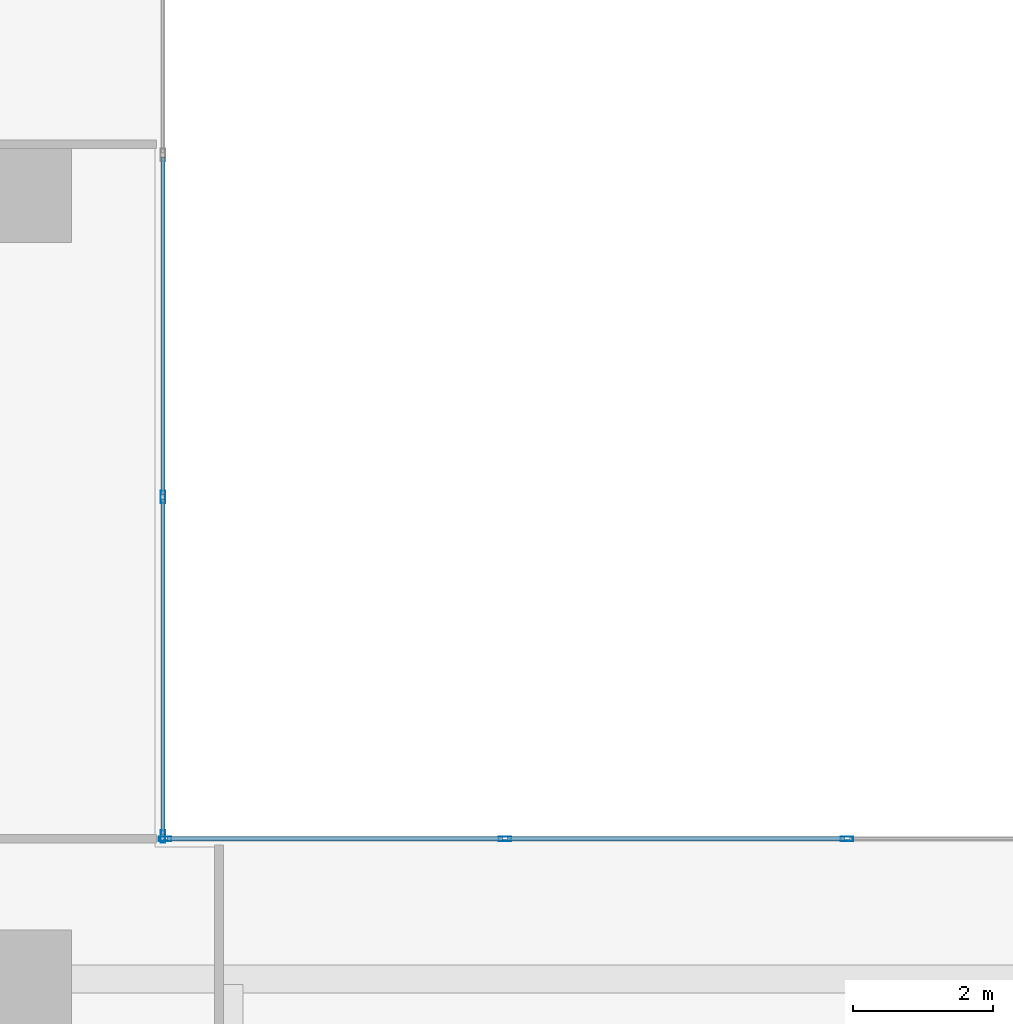
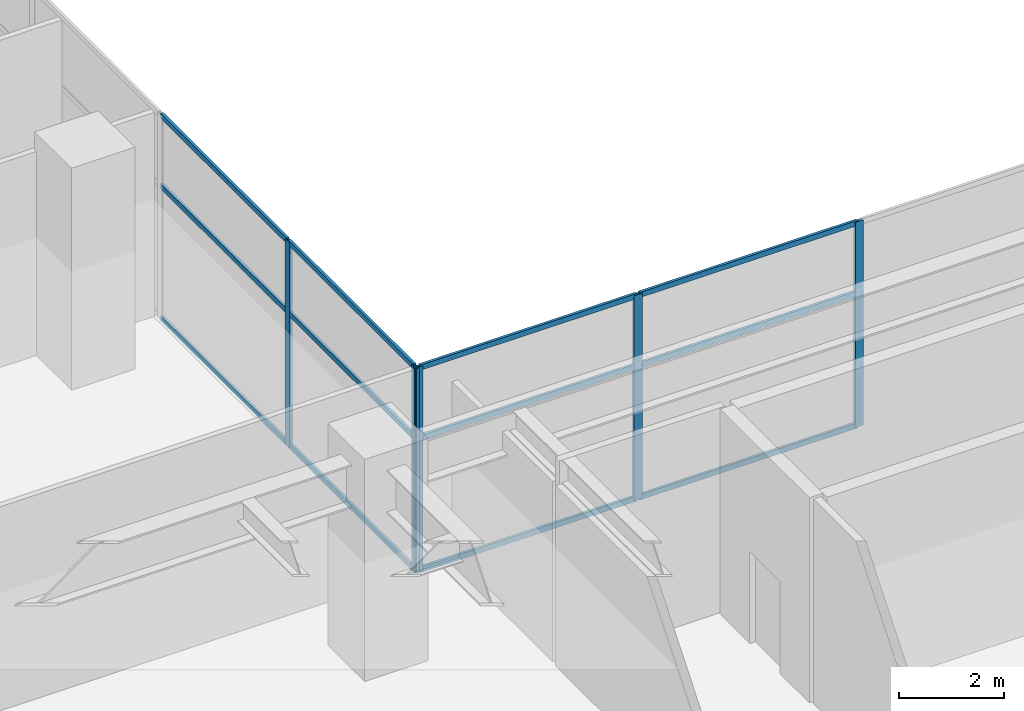
# One storey, part 16 of 29: 17 members, 2 elements without a shape of their own.
"""IFC4 building model written with IfcOpenShell, lengths in metres."""

from ifc_helpers import new_model, si_unit, direction, frame, origin, origin_2d, place, context, subcontext, project, spatial, hollow_rectangle, extrude, material, layer, layer_set, material_profile, profile_set, type_object, element, aggregate, save


model = new_model("IFC4")

# Units and contexts
model_context = context("Model", 3, precision=1e-05, world=origin(), true_north=direction((0.0, 1.0)))
body_context = subcontext(model_context, "Body", "Model", "MODEL_VIEW")
ifc_project = project(units=[si_unit("LENGTHUNIT", "METRE"), si_unit("AREAUNIT", "SQUARE_METRE"), si_unit("VOLUMEUNIT", "CUBIC_METRE"), si_unit("PLANEANGLEUNIT", "RADIAN"), si_unit("MASSUNIT", "GRAM", prefix="KILO")], contexts=[model_context])

# Site, building, storey
site_placement = place(None, origin())
site = spatial("IfcSite", under=ifc_project, at=site_placement, CompositionType="ELEMENT")
building_placement = place(site_placement, origin())
building = spatial("IfcBuilding", under=site, at=building_placement, Name="Mawjaban Terraces University", CompositionType="ELEMENT")
storey_placement = place(building_placement, frame((0.0, 0.0, 20.800048828125)))
storey = spatial("IfcBuildingStorey", under=building, at=storey_placement, Name="L04", CompositionType="ELEMENT", Elevation=20.800048828125)

# Curtain wall, members
ifc_material_1 = material(Name="Anodised aluminium 6063-T6 and solar-control low-E glass", Category="aluminium")
ifc_layer = layer(ifc_material_1, 0.175048828125)
ifc_layer_set = layer_set([ifc_layer], Name="Anodised aluminium 6063-T6 and solar-control low-E glass")
curtain_wall_type = type_object("IfcCurtainWallType", Name="CWSystem_02_PodiumLibrary", PredefinedType="NOTDEFINED", material=ifc_layer_set)
curtain_wall_1_placement = place(storey_placement, origin())
curtain_wall_1 = element("IfcCurtainWall", 1, at=curtain_wall_1_placement, inside=storey, type_object=curtain_wall_type, Name="L04 Curtain Wall CW-02 Run 5.1", PredefinedType="NOTDEFINED")
ifc_material_2 = material(Name="Anodised aluminium 6063-T6", Category="aluminium")
ifc_material_profile_1 = material_profile(ifc_material_2, hollow_rectangle(XDim=0.06494140625, YDim=0.179931640625, WallThickness=0.00390625, at=origin_2d()), Name="ALU180X65X4")
ifc_profile_set_1 = profile_set([ifc_material_profile_1], Name="Anodised aluminium 6063-T6")
member_type_1 = type_object("IfcMemberType", Name="Mullion_CW-02", PredefinedType="MULLION", material=ifc_profile_set_1)
member_1_placement = place(storey_placement, frame((63.75, 32.0, 0.0), z_axis=(0.0, 0.0, 1.0), x_axis=(0.0, -1.0, 0.0)))
member_1 = element("IfcMember", 2, at=member_1_placement, type_object=member_type_1, Name="CW-02 mullion 3", PredefinedType="MULLION", context=body_context, shape_type="SweptSolid", body=[
    extrude(hollow_rectangle(XDim=0.06494140625, YDim=0.179931640625, WallThickness=0.00390625, at=origin_2d()), origin(), (0.0, 0.0, 1.0), 4.780029296875),
])
member_2_placement = place(storey_placement, frame((58.875, 32.0, 0.0), z_axis=(0.0, 0.0, 1.0), x_axis=(0.0, -1.0, 0.0)))
member_2 = element("IfcMember", 3, at=member_2_placement, type_object=member_type_1, Name="CW-02 mullion 4", PredefinedType="MULLION", context=body_context, shape_type="SweptSolid", body=[
    extrude(hollow_rectangle(XDim=0.06494140625, YDim=0.179931640625, WallThickness=0.00390625, at=origin_2d()), origin(), (0.0, 0.0, 1.0), 4.780029296875),
])
member_3_placement = place(storey_placement, frame((54.032470703125, 32.0, 0.0), z_axis=(0.0, 0.0, 1.0), x_axis=(0.0, -1.0, 0.0)))
member_3 = element("IfcMember", 4, at=member_3_placement, type_object=member_type_1, Name="CW-02 mullion 5", PredefinedType="MULLION", context=body_context, shape_type="SweptSolid", body=[
    extrude(hollow_rectangle(XDim=0.06494140625, YDim=0.179931640625, WallThickness=0.00390625, at=origin_2d()), origin(), (0.0, 0.0, 1.0), 4.780029296875),
])

curtain_wall_2_placement = place(storey_placement, origin())
curtain_wall_2 = element("IfcCurtainWall", 5, at=curtain_wall_2_placement, inside=storey, type_object=curtain_wall_type, Name="L04 Curtain Wall CW-02 Run 6.1", PredefinedType="NOTDEFINED")
member_4_placement = place(storey_placement, frame((54.0, 32.032470703125, 0.0), z_axis=(0.0, 0.0, 1.0), x_axis=(-1.0, 0.0, 0.0)))
member_4 = element("IfcMember", 6, at=member_4_placement, type_object=member_type_1, Name="CW-02 mullion 1", PredefinedType="MULLION", context=body_context, shape_type="SweptSolid", body=[
    extrude(hollow_rectangle(XDim=0.06494140625, YDim=0.179931640625, WallThickness=0.00390625, at=origin_2d()), origin(), (0.0, 0.0, 1.0), 4.780029296875),
])
member_5_placement = place(storey_placement, frame((54.0, 36.875, 0.0), z_axis=(0.0, 0.0, 1.0), x_axis=(-1.0, 0.0, 0.0)))
member_5 = element("IfcMember", 7, at=member_5_placement, type_object=member_type_1, Name="CW-02 mullion 2", PredefinedType="MULLION", context=body_context, shape_type="SweptSolid", body=[
    extrude(hollow_rectangle(XDim=0.06494140625, YDim=0.179931640625, WallThickness=0.00390625, at=origin_2d()), origin(), (0.0, 0.0, 1.0), 4.780029296875),
])

# Member
ifc_material_profile_2 = material_profile(ifc_material_2, hollow_rectangle(XDim=0.06005859375, YDim=0.1201171875, WallThickness=0.00341796875, at=origin_2d()), Name="ALU120X60X3.5")
ifc_profile_set_2 = profile_set([ifc_material_profile_2], Name="Anodised aluminium 6063-T6")
member_type_2 = type_object("IfcMemberType", Name="Transom_CW-02", PredefinedType="NOTDEFINED", material=ifc_profile_set_2)
member_6_placement = place(storey_placement, frame((63.717529296875, 32.0, 0.030029296875), z_axis=(-1.0, 0.0, 0.0), x_axis=(0.0, -1.0, 0.0)))
member_6 = element("IfcMember", 8, at=member_6_placement, type_object=member_type_2, Name="CW-02 transom 3.1", ObjectType="TRANSOM", PredefinedType="USERDEFINED", context=body_context, shape_type="SweptSolid", body=[
    extrude(hollow_rectangle(XDim=0.06005859375, YDim=0.1201171875, WallThickness=0.00341796875, at=origin_2d()), origin(), (0.0, 0.0, 1.0), 4.81005859375),
])

member_7_placement = place(storey_placement, frame((63.717529296875, 32.0, 3.10693359375), z_axis=(-1.0, 0.0, 0.0), x_axis=(0.0, -1.0, 0.0)))
member_7 = element("IfcMember", 9, at=member_7_placement, type_object=member_type_2, Name="CW-02 transom 3.2", ObjectType="TRANSOM", PredefinedType="USERDEFINED", context=body_context, shape_type="SweptSolid", body=[
    extrude(hollow_rectangle(XDim=0.06005859375, YDim=0.1201171875, WallThickness=0.00341796875, at=origin_2d()), origin(), (0.0, 0.0, 1.0), 4.81005859375),
])

member_8_placement = place(storey_placement, frame((63.717529296875, 32.0, 4.75), z_axis=(-1.0, 0.0, 0.0), x_axis=(0.0, -1.0, 0.0)))
member_8 = element("IfcMember", 10, at=member_8_placement, type_object=member_type_2, Name="CW-02 transom 3.3", ObjectType="TRANSOM", PredefinedType="USERDEFINED", context=body_context, shape_type="SweptSolid", body=[
    extrude(hollow_rectangle(XDim=0.06005859375, YDim=0.1201171875, WallThickness=0.00341796875, at=origin_2d()), origin(), (0.0, 0.0, 1.0), 4.81005859375),
])

member_9_placement = place(storey_placement, frame((58.842529296875, 32.0, 0.030029296875), z_axis=(-1.0, 0.0, 0.0), x_axis=(0.0, -1.0, 0.0)))
member_9 = element("IfcMember", 11, at=member_9_placement, type_object=member_type_2, Name="CW-02 transom 4.1", ObjectType="TRANSOM", PredefinedType="USERDEFINED", context=body_context, shape_type="SweptSolid", body=[
    extrude(hollow_rectangle(XDim=0.06005859375, YDim=0.1201171875, WallThickness=0.00341796875, at=origin_2d()), origin(), (0.0, 0.0, 1.0), 4.777587890625),
])

member_10_placement = place(storey_placement, frame((58.842529296875, 32.0, 3.10693359375), z_axis=(-1.0, 0.0, 0.0), x_axis=(0.0, -1.0, 0.0)))
member_10 = element("IfcMember", 12, at=member_10_placement, type_object=member_type_2, Name="CW-02 transom 4.2", ObjectType="TRANSOM", PredefinedType="USERDEFINED", context=body_context, shape_type="SweptSolid", body=[
    extrude(hollow_rectangle(XDim=0.06005859375, YDim=0.1201171875, WallThickness=0.00341796875, at=origin_2d()), origin(), (0.0, 0.0, 1.0), 4.777587890625),
])

member_11_placement = place(storey_placement, frame((58.842529296875, 32.0, 4.75), z_axis=(-1.0, 0.0, 0.0), x_axis=(0.0, -1.0, 0.0)))
member_11 = element("IfcMember", 13, at=member_11_placement, type_object=member_type_2, Name="CW-02 transom 4.3", ObjectType="TRANSOM", PredefinedType="USERDEFINED", context=body_context, shape_type="SweptSolid", body=[
    extrude(hollow_rectangle(XDim=0.06005859375, YDim=0.1201171875, WallThickness=0.00341796875, at=origin_2d()), origin(), (0.0, 0.0, 1.0), 4.777587890625),
])

aggregate(curtain_wall_1, [member_1, member_2, member_3, member_6, member_7, member_8, member_9, member_10, member_11])

member_12_placement = place(storey_placement, frame((54.0, 32.06494140625, 0.030029296875), z_axis=(0.0, 1.0, 0.0), x_axis=(-1.0, 0.0, 0.0)))
member_12 = element("IfcMember", 14, at=member_12_placement, type_object=member_type_2, Name="CW-02 transom 1.1", ObjectType="TRANSOM", PredefinedType="USERDEFINED", context=body_context, shape_type="SweptSolid", body=[
    extrude(hollow_rectangle(XDim=0.06005859375, YDim=0.1201171875, WallThickness=0.00341796875, at=origin_2d()), origin(), (0.0, 0.0, 1.0), 4.777587890625),
])

member_13_placement = place(storey_placement, frame((54.0, 32.06494140625, 3.10693359375), z_axis=(0.0, 1.0, 0.0), x_axis=(-1.0, 0.0, 0.0)))
member_13 = element("IfcMember", 15, at=member_13_placement, type_object=member_type_2, Name="CW-02 transom 1.2", ObjectType="TRANSOM", PredefinedType="USERDEFINED", context=body_context, shape_type="SweptSolid", body=[
    extrude(hollow_rectangle(XDim=0.06005859375, YDim=0.1201171875, WallThickness=0.00341796875, at=origin_2d()), origin(), (0.0, 0.0, 1.0), 4.777587890625),
])

member_14_placement = place(storey_placement, frame((54.0, 32.06494140625, 4.75), z_axis=(0.0, 1.0, 0.0), x_axis=(-1.0, 0.0, 0.0)))
member_14 = element("IfcMember", 16, at=member_14_placement, type_object=member_type_2, Name="CW-02 transom 1.3", ObjectType="TRANSOM", PredefinedType="USERDEFINED", context=body_context, shape_type="SweptSolid", body=[
    extrude(hollow_rectangle(XDim=0.06005859375, YDim=0.1201171875, WallThickness=0.00341796875, at=origin_2d()), origin(), (0.0, 0.0, 1.0), 4.777587890625),
])

member_15_placement = place(storey_placement, frame((54.0, 36.907470703125, 0.030029296875), z_axis=(0.0, 1.0, 0.0), x_axis=(-1.0, 0.0, 0.0)))
member_15 = element("IfcMember", 17, at=member_15_placement, type_object=member_type_2, Name="CW-02 transom 2.1", ObjectType="TRANSOM", PredefinedType="USERDEFINED", context=body_context, shape_type="SweptSolid", body=[
    extrude(hollow_rectangle(XDim=0.06005859375, YDim=0.1201171875, WallThickness=0.00341796875, at=origin_2d()), origin(), (0.0, 0.0, 1.0), 4.81005859375),
])

member_16_placement = place(storey_placement, frame((54.0, 36.907470703125, 3.10693359375), z_axis=(0.0, 1.0, 0.0), x_axis=(-1.0, 0.0, 0.0)))
member_16 = element("IfcMember", 18, at=member_16_placement, type_object=member_type_2, Name="CW-02 transom 2.2", ObjectType="TRANSOM", PredefinedType="USERDEFINED", context=body_context, shape_type="SweptSolid", body=[
    extrude(hollow_rectangle(XDim=0.06005859375, YDim=0.1201171875, WallThickness=0.00341796875, at=origin_2d()), origin(), (0.0, 0.0, 1.0), 4.81005859375),
])

member_17_placement = place(storey_placement, frame((54.0, 36.907470703125, 4.75), z_axis=(0.0, 1.0, 0.0), x_axis=(-1.0, 0.0, 0.0)))
member_17 = element("IfcMember", 19, at=member_17_placement, type_object=member_type_2, Name="CW-02 transom 2.3", ObjectType="TRANSOM", PredefinedType="USERDEFINED", context=body_context, shape_type="SweptSolid", body=[
    extrude(hollow_rectangle(XDim=0.06005859375, YDim=0.1201171875, WallThickness=0.00341796875, at=origin_2d()), origin(), (0.0, 0.0, 1.0), 4.81005859375),
])

aggregate(curtain_wall_2, [member_4, member_5, member_12, member_13, member_14, member_15, member_16, member_17])

save(model, "model.ifc")
